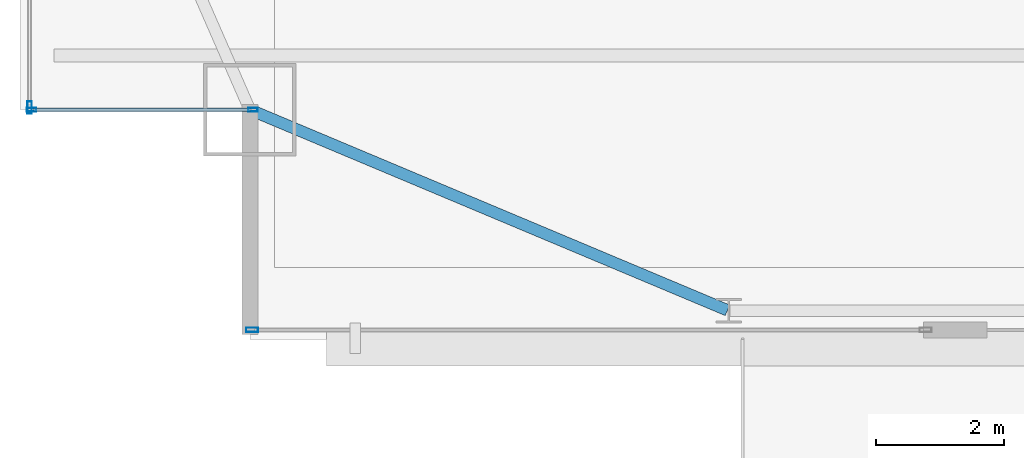
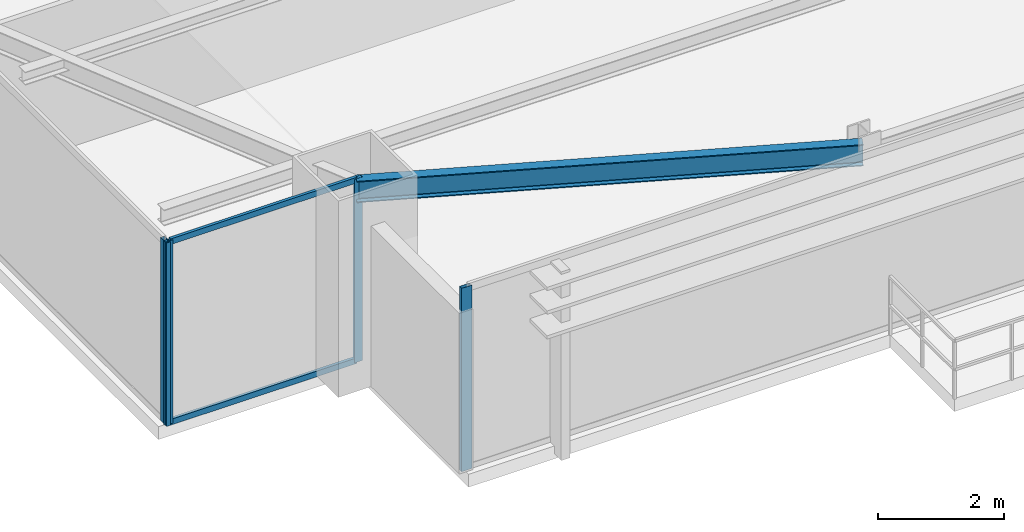
# One storey, part 3 of 37: 6 members, 1 beam, 3 elements without a shape of their own.
"""IFC4 building model written with IfcOpenShell, lengths in metres."""

from ifc_helpers import new_model, si_unit, direction, frame, origin, origin_2d, place, context, subcontext, project, spatial, hollow_rectangle, i_section, extrude, source, transform, mapped, material, layer, layer_set, material_profile, profile_set, type_object, type_shapes, element, aggregate, save


model = new_model("IFC4")

# Units and contexts
model_context = context("Model", 3, precision=1e-05, world=origin(), true_north=direction((0.0, 1.0)))
body_context = subcontext(model_context, "Body", "Model", "MODEL_VIEW")
ifc_project = project(units=[si_unit("LENGTHUNIT", "METRE"), si_unit("AREAUNIT", "SQUARE_METRE"), si_unit("VOLUMEUNIT", "CUBIC_METRE"), si_unit("PLANEANGLEUNIT", "RADIAN"), si_unit("MASSUNIT", "GRAM", prefix="KILO")], contexts=[model_context])

# Site, building, storey
site_placement = place(None, origin())
site = spatial("IfcSite", under=ifc_project, at=site_placement, CompositionType="ELEMENT")
building_placement = place(site_placement, origin())
building = spatial("IfcBuilding", under=site, at=building_placement, Name="Varnel Quay Broadcast Tower", CompositionType="ELEMENT")
storey_placement = place(building_placement, frame((0.0, 0.0, 103.0)))
storey = spatial("IfcBuildingStorey", under=building, at=storey_placement, Name="L24", CompositionType="ELEMENT", Elevation=103.0)

# Beam
ifc_material_1 = material(Name="Structural Steel CSA G40.21 350W", Category="steel")
ifc_material_profile_1 = material_profile(ifc_material_1, i_section(OverallWidth=0.180908203125, OverallDepth=0.4169921875, WebThickness=0.010986328125, FlangeThickness=0.018310546875, FilletRadius=0.011962890625, at=origin_2d()), Name="W410X85")
ifc_profile_set_1 = profile_set([ifc_material_profile_1], Name="Structural Steel CSA G40.21 350W")
beam_type = type_object("IfcBeamType", Name="Beam_W410X85", PredefinedType="SPANDREL", material=ifc_profile_set_1)
shared_shape_1 = source(origin(), body_context, "Body", "SweptSolid", [
    extrude(i_section(OverallWidth=0.180908203125, OverallDepth=0.4169921875, WebThickness=0.010986328125, FlangeThickness=0.018310546875, FilletRadius=0.011962890625, at=origin_2d()), origin(), (0.0, 0.0, 1.0), 8.0947265625),
])
type_shapes(beam_type, [shared_shape_1])
beam_placement = place(storey_placement, frame((8.118408203125, 7.792236328125, 3.341552734375), z_axis=(0.921981890247, -0.387232997117, 0.0), x_axis=(0.387232997117, 0.921981890247, 0.0)))
element("IfcBeam", 1, at=beam_placement, inside=storey, type_object=beam_type, Name="L24 South Spandrel MC-SW-TC-S1", PredefinedType="SPANDREL", context=body_context, shape_type="MappedRepresentation", body=[
    mapped(shared_shape_1, transform((0.0, 0.0, 0.0), x_axis=(1.0, 0.0, 0.0), y_axis=(0.0, 1.0, 0.0), z_axis=(0.0, 0.0, 1.0), scale=1.0)),
])

# Curtain wall, members
ifc_material_2 = material(Name="Anodised Bronze Aluminium 6063-T6", Category="aluminium")
ifc_layer_1 = layer(ifc_material_2, 0.18994140625, Name="Anodised Bronze Aluminium 6063-T6")
ifc_layer_set_1 = layer_set([ifc_layer_1], Name="Anodised Bronze Aluminium 6063-T6")
curtain_wall_type_1 = type_object("IfcCurtainWallType", Name="CW_NotchCorner", PredefinedType="NOTDEFINED", material=ifc_layer_set_1)
curtain_wall_1_placement = place(storey_placement, origin())
curtain_wall_1 = element("IfcCurtainWall", 2, at=curtain_wall_1_placement, inside=storey, type_object=curtain_wall_type_1, Name="L24 SW Notch Curtain Wall", PredefinedType="NOTDEFINED")
ifc_material_profile_2 = material_profile(ifc_material_2, hollow_rectangle(XDim=0.054931640625, YDim=0.110107421875, WallThickness=0.0029296875, at=origin_2d()), Name="ALU55X110X3")
ifc_profile_set_2 = profile_set([ifc_material_profile_2], Name="Anodised Bronze Aluminium 6063-T6")
member_type_1 = type_object("IfcMemberType", Name="Tran_CWS-04", PredefinedType="USERDEFINED", material=ifc_profile_set_2)
shared_shape_2 = source(origin(), body_context, "Body", "SweptSolid", [
    extrude(hollow_rectangle(XDim=0.054931640625, YDim=0.110107421875, WallThickness=0.0029296875, at=origin_2d()), origin(), (0.0, 0.0, 1.0), 3.41015625),
])
type_shapes(member_type_1, [shared_shape_2])
member_1_placement = place(storey_placement, frame((4.7099609375, 7.800048828125, 0.027587890625), z_axis=(1.0, 0.0, 0.0), x_axis=(0.0, 1.0, 0.0)))
member_1 = element("IfcMember", 3, at=member_1_placement, type_object=member_type_1, Name="CWS-04 transom 1.1", ObjectType="TRANSOM", PredefinedType="USERDEFINED", context=body_context, shape_type="MappedRepresentation", body=[
    mapped(shared_shape_2, transform((0.0, 0.0, 0.0), x_axis=(1.0, 0.0, 0.0), y_axis=(0.0, 1.0, 0.0), z_axis=(0.0, 0.0, 1.0), scale=1.0)),
])
member_2_placement = place(storey_placement, frame((4.7099609375, 7.800048828125, 3.5224609375), z_axis=(1.0, 0.0, 0.0), x_axis=(0.0, 1.0, 0.0)))
member_2 = element("IfcMember", 4, at=member_2_placement, type_object=member_type_1, Name="CWS-04 transom 1.2", ObjectType="TRANSOM", PredefinedType="USERDEFINED", context=body_context, shape_type="MappedRepresentation", body=[
    mapped(shared_shape_2, transform((0.0, 0.0, 0.0), x_axis=(1.0, 0.0, 0.0), y_axis=(0.0, 1.0, 0.0), z_axis=(0.0, 0.0, 1.0), scale=1.0)),
])

# Curtain wall, member
ifc_layer_2 = layer(ifc_material_2, 0.18994140625, Name="Anodised Bronze Aluminium 6063-T6")
ifc_layer_set_2 = layer_set([ifc_layer_2], Name="Anodised Bronze Aluminium 6063-T6")
curtain_wall_type_2 = type_object("IfcCurtainWallType", Name="CW_LowerTower", PredefinedType="NOTDEFINED", material=ifc_layer_set_2)
curtain_wall_2_placement = place(storey_placement, origin())
curtain_wall_2 = element("IfcCurtainWall", 5, at=curtain_wall_2_placement, inside=storey, type_object=curtain_wall_type_2, Name="L24 South Unitised Curtain Wall 1", PredefinedType="NOTDEFINED")
ifc_material_profile_3 = material_profile(ifc_material_2, hollow_rectangle(XDim=0.070068359375, YDim=0.18994140625, WallThickness=0.00390625, at=origin_2d()), Name="ALU70X190X4")
ifc_profile_set_3 = profile_set([ifc_material_profile_3], Name="Anodised Bronze Aluminium 6063-T6")
member_type_2 = type_object("IfcMemberType", Name="Mull_CWS-02", PredefinedType="MULLION", material=ifc_profile_set_3)
shared_shape_3 = source(origin(), body_context, "Body", "SweptSolid", [
    extrude(hollow_rectangle(XDim=0.070068359375, YDim=0.18994140625, WallThickness=0.00390625, at=origin_2d()), origin(), (0.0, 0.0, 1.0), 3.550048828125),
])
type_shapes(member_type_2, [shared_shape_3])
member_3_placement = place(storey_placement, frame((8.135009765625, 4.35009765625, 0.0), z_axis=(0.0, 0.0, 1.0), x_axis=(0.0, 1.0, 0.0)))
member_3 = element("IfcMember", 6, at=member_3_placement, type_object=member_type_2, Name="CWS-02 mullion 1", PredefinedType="MULLION", context=body_context, shape_type="MappedRepresentation", body=[
    mapped(shared_shape_3, transform((0.0, 0.0, 0.0), x_axis=(1.0, 0.0, 0.0), y_axis=(0.0, 1.0, 0.0), z_axis=(0.0, 0.0, 1.0), scale=1.0)),
])
aggregate(curtain_wall_2, [member_3])

curtain_wall_3_placement = place(storey_placement, origin())
curtain_wall_3 = element("IfcCurtainWall", 7, at=curtain_wall_3_placement, inside=storey, type_object=curtain_wall_type_2, Name="L24 West Unitised Curtain Wall", PredefinedType="NOTDEFINED")
member_4_placement = place(storey_placement, frame((4.64990234375, 7.8349609375, 0.0), z_axis=(0.0, 0.0, 1.0), x_axis=(-1.0, 0.0, 0.0)))
member_4 = element("IfcMember", 8, at=member_4_placement, type_object=member_type_2, Name="CWS-02 mullion 1", PredefinedType="MULLION", context=body_context, shape_type="MappedRepresentation", body=[
    mapped(shared_shape_3, transform((0.0, 0.0, 0.0), x_axis=(1.0, 0.0, 0.0), y_axis=(0.0, 1.0, 0.0), z_axis=(0.0, 0.0, 1.0), scale=1.0)),
])
aggregate(curtain_wall_3, [member_4])

# Member
ifc_material_profile_4 = material_profile(ifc_material_2, hollow_rectangle(XDim=0.06005859375, YDim=0.14501953125, WallThickness=0.00341796875, at=origin_2d()), Name="ALU60X145X3.5")
ifc_profile_set_4 = profile_set([ifc_material_profile_4], Name="Anodised Bronze Aluminium 6063-T6")
member_type_3 = type_object("IfcMemberType", Name="Mull_CWS-04", PredefinedType="MULLION", material=ifc_profile_set_4)
shared_shape_4 = source(origin(), body_context, "Body", "SweptSolid", [
    extrude(hollow_rectangle(XDim=0.06005859375, YDim=0.14501953125, WallThickness=0.00341796875, at=origin_2d()), origin(), (0.0, 0.0, 1.0), 3.550048828125),
])
type_shapes(member_type_3, [shared_shape_4])
member_5_placement = place(storey_placement, frame((4.679931640625, 7.800048828125, 0.0), z_axis=(0.0, 0.0, 1.0), x_axis=(0.0, 1.0, 0.0)))
member_5 = element("IfcMember", 9, at=member_5_placement, type_object=member_type_3, Name="CWS-04 mullion 1", PredefinedType="MULLION", context=body_context, shape_type="MappedRepresentation", body=[
    mapped(shared_shape_4, transform((0.0, 0.0, 0.0), x_axis=(1.0, 0.0, 0.0), y_axis=(0.0, 1.0, 0.0), z_axis=(0.0, 0.0, 1.0), scale=1.0)),
])

member_6_placement = place(storey_placement, frame((8.14990234375, 7.800048828125, 0.0), z_axis=(0.0, 0.0, 1.0), x_axis=(0.0, 1.0, 0.0)))
member_6 = element("IfcMember", 10, at=member_6_placement, type_object=member_type_3, Name="CWS-04 mullion 2", PredefinedType="MULLION", context=body_context, shape_type="MappedRepresentation", body=[
    mapped(shared_shape_4, transform((0.0, 0.0, 0.0), x_axis=(1.0, 0.0, 0.0), y_axis=(0.0, 1.0, 0.0), z_axis=(0.0, 0.0, 1.0), scale=1.0)),
])

aggregate(curtain_wall_1, [member_5, member_6, member_1, member_2])

save(model, "model.ifc")
